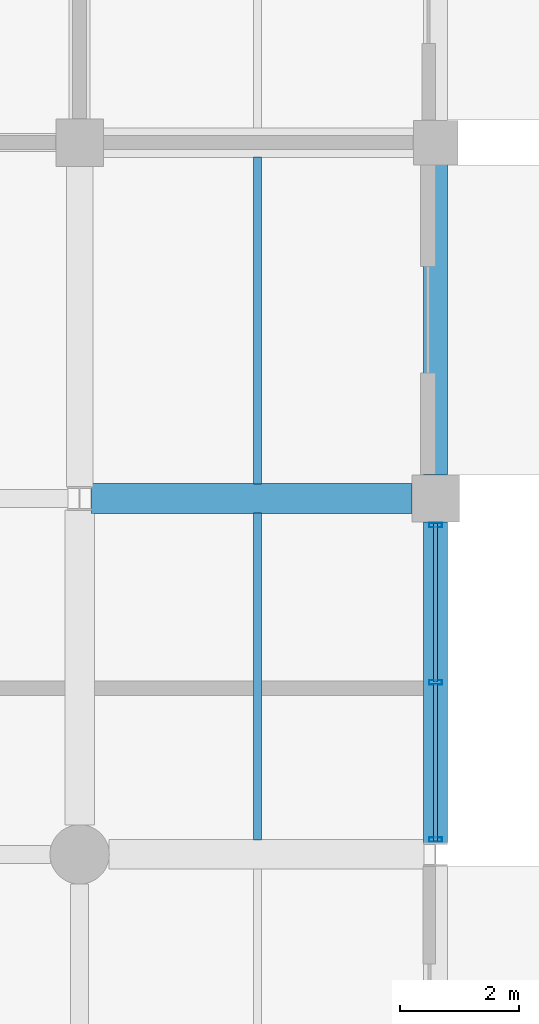
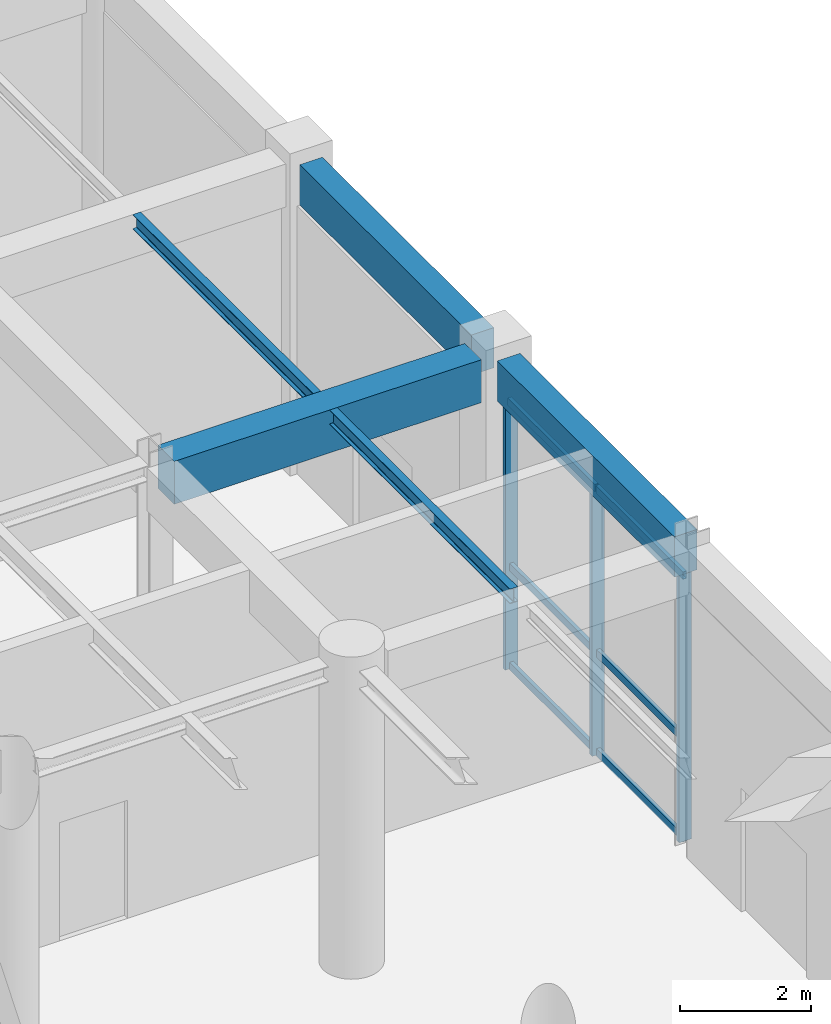
# One storey, part 63 of 106: 9 members, 5 beams, 1 element without a shape of its own.
"""IFC4 building model written with IfcOpenShell, lengths in metres."""

from ifc_helpers import new_model, si_unit, direction, frame, origin, origin_2d, place, context, subcontext, project, spatial, rectangle, hollow_rectangle, i_section, extrude, material, material_profile, profile_set, type_object, element, aggregate, save


model = new_model("IFC4")

# Units and contexts
model_context = context("Model", 3, precision=1e-05, world=origin(), true_north=direction((0.0, 1.0)))
body_context = subcontext(model_context, "Body", "Model", "MODEL_VIEW")
ifc_project = project(units=[si_unit("LENGTHUNIT", "METRE"), si_unit("AREAUNIT", "SQUARE_METRE"), si_unit("VOLUMEUNIT", "CUBIC_METRE"), si_unit("PLANEANGLEUNIT", "RADIAN"), si_unit("MASSUNIT", "GRAM", prefix="KILO"), si_unit("THERMODYNAMICTEMPERATUREUNIT", "KELVIN"), si_unit("POWERUNIT", "WATT")], contexts=[model_context])

# Site, building, storey
site_placement = place(None, origin())
site = spatial("IfcSite", under=ifc_project, at=site_placement, CompositionType="ELEMENT")
building_placement = place(site_placement, origin())
building = spatial("IfcBuilding", under=site, at=building_placement, Name="Phaisarnlok Congress Hotel", CompositionType="ELEMENT")
storey_placement = place(building_placement, origin())
storey = spatial("IfcBuildingStorey", under=building, at=storey_placement, Name="L00", CompositionType="ELEMENT", Elevation=0.0)

# Beam
ifc_material_1 = material(Name="Concrete C40/50", Category="concrete")
ifc_material_profile_1 = material_profile(ifc_material_1, rectangle(XDim=0.5, YDim=0.800048828125, at=origin_2d()), Name="RC 500x800")
ifc_profile_set_1 = profile_set([ifc_material_profile_1], Name="Concrete C40/50")
beam_type_1 = type_object("IfcBeamType", Name="BM-RC-500x800", PredefinedType="BEAM", material=ifc_profile_set_1)
beam_1_placement = place(storey_placement, frame((174.195556640625, 90.0, 5.340087890625), z_axis=(1.0, 0.0, 0.0), x_axis=(0.0, 1.0, 0.0)))
element("IfcBeam", 1, at=beam_1_placement, inside=storey, type_object=beam_type_1, Name="Beam B-04", PredefinedType="BEAM", context=body_context, shape_type="SweptSolid", body=[
    extrude(rectangle(XDim=0.5, YDim=0.800048828125, at=origin_2d()), origin(), (0.0, 0.0, 1.0), 5.409423828125),
])

# Curtain wall, members
ifc_material_2 = material(Name="Thermally Broken Unitised Aluminium & Low-E Glazing", Category="aluminium")
curtain_wall_type = type_object("IfcCurtainWallType", Name="CW-UNIT-04", PredefinedType="NOTDEFINED", material=ifc_material_2)
curtain_wall_placement = place(storey_placement, origin())
curtain_wall = element("IfcCurtainWall", 2, at=curtain_wall_placement, inside=storey, type_object=curtain_wall_type, Name="Unitised curtain wall CW-04 (L00)", PredefinedType="NOTDEFINED")
ifc_material_3 = material(Name="Anodised Aluminium Alloy 6063-T6", Category="aluminium")
ifc_material_profile_2 = material_profile(ifc_material_3, hollow_rectangle(XDim=0.074951171875, YDim=0.219970703125, WallThickness=0.0048828125, at=origin_2d()), Name="ALU-M 75x220x5")
ifc_profile_set_2 = profile_set([ifc_material_profile_2], Name="Anodised Aluminium Alloy 6063-T6")
member_type_1 = type_object("IfcMemberType", Name="CWM-220", PredefinedType="MULLION", material=ifc_profile_set_2)
member_1_placement = place(storey_placement, frame((180.0, 84.24951171875, 0.0), z_axis=(0.0, 0.0, 1.0), x_axis=(0.0, 1.0, 0.0)))
member_1 = element("IfcMember", 3, at=member_1_placement, type_object=member_type_1, Name="Curtain wall mullion CWM-02", PredefinedType="MULLION", context=body_context, shape_type="SweptSolid", body=[
    extrude(hollow_rectangle(XDim=0.074951171875, YDim=0.219970703125, WallThickness=0.0048828125, at=origin_2d()), origin(), (0.0, 0.0, 1.0), 4.989990234375),
])
member_2_placement = place(storey_placement, frame((180.0, 86.899658203125, 0.0), z_axis=(0.0, 0.0, 1.0), x_axis=(0.0, 1.0, 0.0)))
member_2 = element("IfcMember", 4, at=member_2_placement, type_object=member_type_1, Name="Curtain wall mullion CWM-02", PredefinedType="MULLION", context=body_context, shape_type="SweptSolid", body=[
    extrude(hollow_rectangle(XDim=0.074951171875, YDim=0.219970703125, WallThickness=0.0048828125, at=origin_2d()), origin(), (0.0, 0.0, 1.0), 4.989990234375),
])
member_3_placement = place(storey_placement, frame((180.0, 89.550048828125, 0.0), z_axis=(0.0, 0.0, 1.0), x_axis=(0.0, 1.0, 0.0)))
member_3 = element("IfcMember", 5, at=member_3_placement, type_object=member_type_1, Name="Curtain wall mullion CWM-02", PredefinedType="MULLION", context=body_context, shape_type="SweptSolid", body=[
    extrude(hollow_rectangle(XDim=0.074951171875, YDim=0.219970703125, WallThickness=0.0048828125, at=origin_2d()), origin(), (0.0, 0.0, 1.0), 4.989990234375),
])
ifc_material_profile_3 = material_profile(ifc_material_3, hollow_rectangle(XDim=0.06494140625, YDim=0.139892578125, WallThickness=0.00390625, at=origin_2d()), Name="ALU-T 65x140x4")
ifc_profile_set_3 = profile_set([ifc_material_profile_3], Name="Anodised Aluminium Alloy 6063-T6")
member_type_2 = type_object("IfcMemberType", Name="CWT-150", PredefinedType="USERDEFINED", material=ifc_profile_set_3)
member_4_placement = place(storey_placement, frame((180.0, 84.224609375, 0.050048828125), z_axis=(0.0, 1.0, 0.0), x_axis=(-1.0, 0.0, 0.0)))
member_4 = element("IfcMember", 6, at=member_4_placement, type_object=member_type_2, Name="Curtain wall transom CWT-01", ObjectType="TRANSOM", PredefinedType="USERDEFINED", context=body_context, shape_type="SweptSolid", body=[
    extrude(hollow_rectangle(XDim=0.06494140625, YDim=0.139892578125, WallThickness=0.00390625, at=origin_2d()), origin(), (0.0, 0.0, 1.0), 2.66015625),
])
member_5_placement = place(storey_placement, frame((180.0, 84.224609375, 1.896240234375), z_axis=(0.0, 1.0, 0.0), x_axis=(-1.0, 0.0, 0.0)))
member_5 = element("IfcMember", 7, at=member_5_placement, type_object=member_type_2, Name="Curtain wall transom CWT-01", ObjectType="TRANSOM", PredefinedType="USERDEFINED", context=body_context, shape_type="SweptSolid", body=[
    extrude(hollow_rectangle(XDim=0.06494140625, YDim=0.139892578125, WallThickness=0.00390625, at=origin_2d()), origin(), (0.0, 0.0, 1.0), 2.66015625),
])
member_6_placement = place(storey_placement, frame((180.0, 84.224609375, 4.93994140625), z_axis=(0.0, 1.0, 0.0), x_axis=(-1.0, 0.0, 0.0)))
member_6 = element("IfcMember", 8, at=member_6_placement, type_object=member_type_2, Name="Curtain wall transom CWT-01", ObjectType="TRANSOM", PredefinedType="USERDEFINED", context=body_context, shape_type="SweptSolid", body=[
    extrude(hollow_rectangle(XDim=0.06494140625, YDim=0.139892578125, WallThickness=0.00390625, at=origin_2d()), origin(), (0.0, 0.0, 1.0), 2.66015625),
])
member_7_placement = place(storey_placement, frame((180.0, 86.914794921875, 0.050048828125), z_axis=(0.0, 1.0, 0.0), x_axis=(-1.0, 0.0, 0.0)))
member_7 = element("IfcMember", 9, at=member_7_placement, type_object=member_type_2, Name="Curtain wall transom CWT-01", ObjectType="TRANSOM", PredefinedType="USERDEFINED", context=body_context, shape_type="SweptSolid", body=[
    extrude(hollow_rectangle(XDim=0.06494140625, YDim=0.139892578125, WallThickness=0.00390625, at=origin_2d()), origin(), (0.0, 0.0, 1.0), 2.66015625),
])
member_8_placement = place(storey_placement, frame((180.0, 86.914794921875, 1.896240234375), z_axis=(0.0, 1.0, 0.0), x_axis=(-1.0, 0.0, 0.0)))
member_8 = element("IfcMember", 10, at=member_8_placement, type_object=member_type_2, Name="Curtain wall transom CWT-01", ObjectType="TRANSOM", PredefinedType="USERDEFINED", context=body_context, shape_type="SweptSolid", body=[
    extrude(hollow_rectangle(XDim=0.06494140625, YDim=0.139892578125, WallThickness=0.00390625, at=origin_2d()), origin(), (0.0, 0.0, 1.0), 2.66015625),
])
member_9_placement = place(storey_placement, frame((180.0, 86.914794921875, 4.93994140625), z_axis=(0.0, 1.0, 0.0), x_axis=(-1.0, 0.0, 0.0)))
member_9 = element("IfcMember", 11, at=member_9_placement, type_object=member_type_2, Name="Curtain wall transom CWT-01", ObjectType="TRANSOM", PredefinedType="USERDEFINED", context=body_context, shape_type="SweptSolid", body=[
    extrude(hollow_rectangle(XDim=0.06494140625, YDim=0.139892578125, WallThickness=0.00390625, at=origin_2d()), origin(), (0.0, 0.0, 1.0), 2.66015625),
])
aggregate(curtain_wall, [member_1, member_2, member_3, member_4, member_5, member_6, member_7, member_8, member_9])

# Beams
ifc_material_4 = material(Name="Steel S355", Category="steel")
ifc_material_profile_4 = material_profile(ifc_material_4, i_section(OverallWidth=0.135009765625, OverallDepth=0.27001953125, WebThickness=0.006591796875, FlangeThickness=0.01025390625, FilletRadius=0.014892578125, at=origin_2d()), Name="IPE 270")
ifc_profile_set_4 = profile_set([ifc_material_profile_4], Name="Steel S355")
beam_type_2 = type_object("IfcBeamType", Name="JS-STL-IPE270", PredefinedType="JOIST", material=ifc_profile_set_4)
for number, where, z_axis, x_axis, name in (
    (12, (177.0, 84.2451171875, 5.60498046875), (0.0, 1.0, 0.0), (-1.0, 0.0, 0.0), "Secondary floor joist J-02"),
    (13, (177.0, 90.2451171875, 5.60498046875), (0.0, 1.0, 0.0), (-1.0, 0.0, 0.0), "Secondary floor joist J-02"),
):
    element("IfcBeam", number, at=place(storey_placement, frame(where, z_axis=z_axis, x_axis=x_axis)), inside=storey, type_object=beam_type_2, Name=name, PredefinedType="JOIST", context=body_context, shape_type="SweptSolid", body=[
        extrude(i_section(OverallWidth=0.135009765625, OverallDepth=0.27001953125, WebThickness=0.006591796875, FlangeThickness=0.01025390625, FilletRadius=0.014892578125, at=origin_2d()), origin(), (0.0, 0.0, 1.0), 5.509765625),
    ])
ifc_material_profile_5 = material_profile(ifc_material_1, rectangle(XDim=0.39990234375, YDim=0.75, at=origin_2d()), Name="RC 400x750")
ifc_profile_set_5 = profile_set([ifc_material_profile_5], Name="Concrete C40/50")
beam_type_3 = type_object("IfcBeamType", Name="SP-RC-400x750", PredefinedType="SPANDREL", material=ifc_profile_set_5)
beam_2_placement = place(storey_placement, frame((180.0, 84.194580078125, 5.364990234375), z_axis=(0.0, 1.0, 0.0), x_axis=(-1.0, 0.0, 0.0)))
element("IfcBeam", 14, at=beam_2_placement, inside=storey, type_object=beam_type_3, Name="Beam SP-02", PredefinedType="SPANDREL", context=body_context, shape_type="SweptSolid", body=[
    extrude(rectangle(XDim=0.39990234375, YDim=0.75, at=origin_2d()), origin(), (0.0, 0.0, 1.0), 5.410400390625),
])
beam_3_placement = place(storey_placement, frame((180.0, 90.39501953125, 5.364990234375), z_axis=(0.0, 1.0, 0.0), x_axis=(-1.0, 0.0, 0.0)))
element("IfcBeam", 15, at=beam_3_placement, inside=storey, type_object=beam_type_3, Name="Beam SP-02", PredefinedType="SPANDREL", context=body_context, shape_type="SweptSolid", body=[
    extrude(rectangle(XDim=0.39990234375, YDim=0.75, at=origin_2d()), origin(), (0.0, 0.0, 1.0), 5.23486328125),
])

save(model, "model.ifc")
